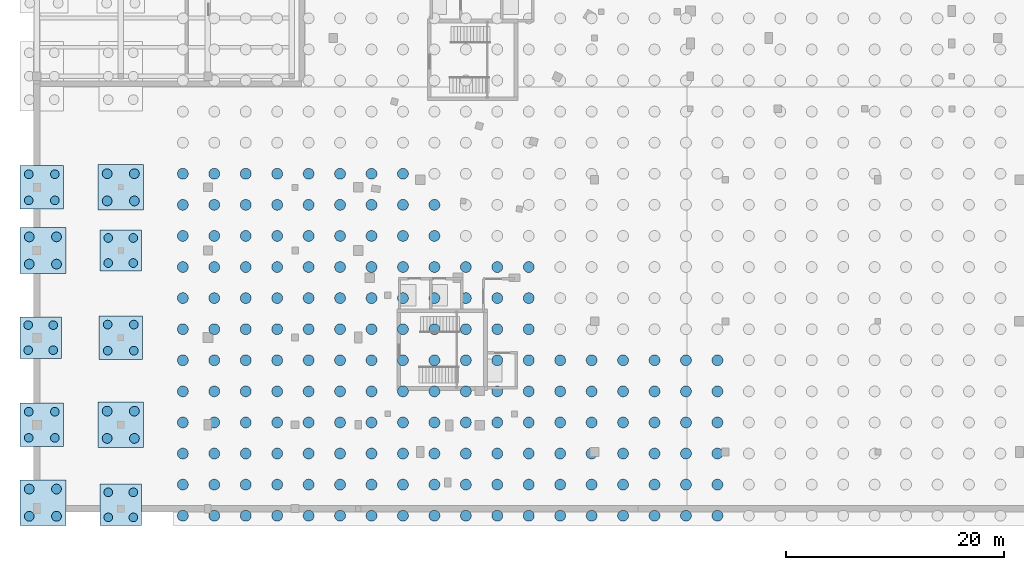
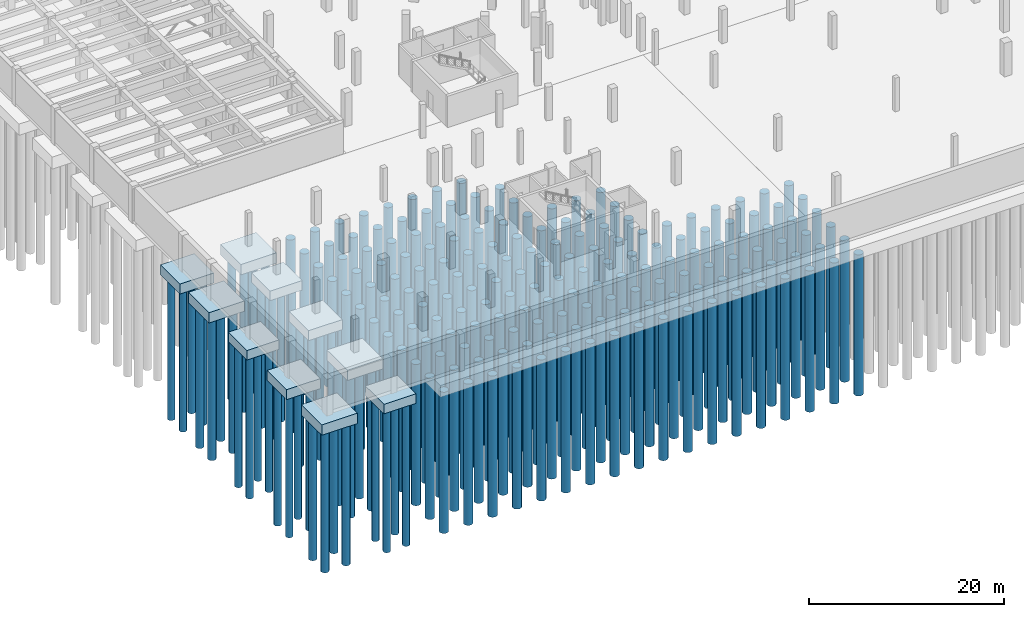
# One storey, part 1 of 36: 210 piles, 10 footings.
"""IFC4 building model written with IfcOpenShell, lengths in metres."""

import ifcopenshell
import ifcopenshell.guid

model = None  # the IFC model being written
_history = None  # IfcOwnerHistory: only IFC2X3 demands one
_inside = {}  # id of a spatial element -> (the spatial element, [elements in it])
_under = {}  # id of a project, library or spatial element -> (it, [spatial elements below it])
_declared = {}  # id of a project -> (the project, [libraries it declares])
_typed = {}  # id of a type object -> (the type object, [elements of that type])
_made_of = {}  # id of a material, layer set ... -> (it, [elements and type objects made of it])


def new_model(schema):
    """Start an empty IFC model of exactly this schema.

    Asked for "IFC4X3", IfcOpenShell would pick the latest addendum, in which some entities
    have other attributes; the version numbers below select the first issue.
    IFC2X3 requires an IfcOwnerHistory on every rooted entity: one is made here for all.
    """
    global model, _history
    if schema == "IFC4X3":
        model = ifcopenshell.file(schema_version=(4, 3, 0, 0))
    else:
        model = ifcopenshell.file(schema=schema)
    _inside.clear()
    _under.clear()
    _declared.clear()
    _typed.clear()
    _made_of.clear()
    _history = None
    if model.schema == "IFC2X3":
        org = make("IfcOrganization", Name="unknown")
        user = make(
            "IfcPersonAndOrganization",
            ThePerson=make("IfcPerson", FamilyName="unknown"),
            TheOrganization=org,
        )
        app = make(
            "IfcApplication",
            ApplicationDeveloper=org,
            Version="unknown",
            ApplicationFullName="unknown",
            ApplicationIdentifier="unknown",
        )
        _history = make(
            "IfcOwnerHistory",
            OwningUser=user,
            OwningApplication=app,
            ChangeAction="ADDED",
            CreationDate=0,
        )
    return model


def make(cls, **values):
    """One entity of the class cls with the attributes given. An attribute that is None is left unset."""
    return model.create_entity(
        cls, **{name: value for name, value in values.items() if value is not None}
    )


def rooted(cls, **values):
    """An entity with a GlobalId (a new one), such as an element, a storey or a relation."""
    return make(cls, GlobalId=ifcopenshell.guid.new(), OwnerHistory=_history, **values)


def si_unit(unit_type, name, prefix=None):
    """IfcSIUnit, for example si_unit("LENGTHUNIT", "METRE", prefix="MILLI")."""
    return make("IfcSIUnit", UnitType=unit_type, Prefix=prefix, Name=name)


def assignment(units):
    """IfcUnitAssignment: the units of a project."""
    return None if units is None else make("IfcUnitAssignment", Units=units)


def point(xyz):
    """IfcCartesianPoint."""
    return None if xyz is None else make("IfcCartesianPoint", Coordinates=xyz)


def direction(xyz):
    """IfcDirection."""
    return None if xyz is None else make("IfcDirection", DirectionRatios=xyz)


def frame(location, z_axis=None, x_axis=None):
    """IfcAxis2Placement3D, a coordinate frame: its origin and axes. An axis left out is left unset."""
    return make(
        "IfcAxis2Placement3D",
        Location=point(location),
        Axis=direction(z_axis),
        RefDirection=direction(x_axis),
    )


def frame_2d(location, x_axis=None):
    """IfcAxis2Placement2D, a coordinate frame in the plane: its origin and x axis."""
    return make(
        "IfcAxis2Placement2D", Location=point(location), RefDirection=direction(x_axis)
    )


def origin():
    """The frame at (0, 0, 0) with its axes left unset."""
    return frame((0.0, 0.0, 0.0))


def origin_2d():
    """The frame at (0, 0) in the plane with its x axis left unset."""
    return frame_2d((0.0, 0.0))


def place(relative_to, where):
    """IfcLocalPlacement: puts the frame where relative to a parent placement (None: the world)."""
    return make(
        "IfcLocalPlacement", PlacementRelTo=relative_to, RelativePlacement=where
    )


def context(
    kind, dimensions, precision=None, world=None, true_north=None, identifier=None
):
    """IfcGeometricRepresentationContext, for example the 3D "Model" context."""
    return make(
        "IfcGeometricRepresentationContext",
        ContextIdentifier=identifier,
        ContextType=kind,
        CoordinateSpaceDimension=dimensions,
        Precision=precision,
        WorldCoordinateSystem=world,
        TrueNorth=true_north,
    )


def subcontext(parent, identifier, kind, view, scale=None):
    """IfcGeometricRepresentationSubContext, for example "Body" below "Model"."""
    return make(
        "IfcGeometricRepresentationSubContext",
        ContextIdentifier=identifier,
        ContextType=kind,
        ParentContext=parent,
        TargetScale=scale,
        TargetView=view,
    )


def project(units=None, contexts=None):
    """IfcProject with its units and contexts."""
    return rooted(
        "IfcProject",
        Name="project",
        RepresentationContexts=contexts,
        UnitsInContext=assignment(units),
    )


def spatial(cls, under=None, at=None, **own):
    """A site, building, storey or space (cls), placed at a placement, below another one or the project."""
    s = rooted(cls, ObjectPlacement=at, **own)
    if under is not None:
        _under.setdefault(under.id(), (under, []))[1].append(s)
    return s


def profile(cls, at=None, kind="AREA", **sizes):
    """A parametric profile (cls). Its sizes go by their IFC names, for example OverallWidth=200.0."""
    return make(cls, ProfileType=kind, Position=at, **sizes)


def rectangle(**sizes):
    """IfcRectangleProfileDef."""
    return profile("IfcRectangleProfileDef", **sizes)


def circle(**sizes):
    """IfcCircleProfileDef."""
    return profile("IfcCircleProfileDef", **sizes)


def extrude(swept, where, along, depth):
    """IfcExtrudedAreaSolid: the profile swept, set in the frame where, extruded along a direction by depth."""
    return make(
        "IfcExtrudedAreaSolid",
        SweptArea=swept,
        Position=where,
        ExtrudedDirection=direction(along),
        Depth=depth,
    )


def shape(context_of_items, identifier, shape_type, items):
    """IfcShapeRepresentation: the items that make up one representation, for example the "Body"."""
    return make(
        "IfcShapeRepresentation",
        ContextOfItems=context_of_items,
        RepresentationIdentifier=identifier,
        RepresentationType=shape_type,
        Items=items,
    )


def material(Name=None, Category=None):
    """IfcMaterial."""
    return make("IfcMaterial", Name=Name, Category=Category)


def material_profile(
    of_material, cross_section, Name=None, Category=None, Priority=None
):
    """IfcMaterialProfile: a cross section and its material."""
    return make(
        "IfcMaterialProfile",
        Name=Name,
        Material=of_material,
        Profile=cross_section,
        Priority=Priority,
        Category=Category,
    )


def profile_set(profiles, Name=None, composite=None):
    """IfcMaterialProfileSet."""
    return make(
        "IfcMaterialProfileSet",
        Name=Name,
        MaterialProfiles=profiles,
        CompositeProfile=composite,
    )


def made_of(thing, what):
    """Note that an element or type object is made of a material, layer set ...; save() writes the relation."""
    if what is not None:
        _made_of.setdefault(what.id(), (what, []))[1].append(thing)
    return thing


def type_object(cls, material=None, **own):
    """A type object (cls), such as IfcWallType, which elements share."""
    return made_of(rooted(cls, **own), material)


def element(
    cls,
    number,
    at=None,
    inside=None,
    cuts=None,
    type_object=None,
    material=None,
    context=None,
    identifier="Body",
    shape_type=None,
    held_by="IfcProductDefinitionShape",
    body=None,
    shapes=None,
    **own,
):
    """One element of the class cls, such as IfcWall. Its Tag is "e" and its number.

    at: its placement. inside: the storey or other place that contains it. cuts: it is an
    opening in that element (IfcRelVoidsElement). A single representation is given by context,
    identifier, shape_type and body (its items); several are given by shapes. held_by: the class
    of the entity that holds the representations. save() writes the other relations.
    """
    e = rooted(cls, Tag="e%d" % number, ObjectPlacement=at, **own)
    if body is not None:
        shapes = [shape(context, identifier, shape_type, body)]
    if shapes is not None:
        e.Representation = make(held_by, Representations=shapes)
    if inside is not None:
        _inside.setdefault(inside.id(), (inside, []))[1].append(e)
    if cuts is not None:
        rooted(
            "IfcRelVoidsElement", RelatingBuildingElement=cuts, RelatedOpeningElement=e
        )
    if type_object is not None:
        _typed.setdefault(type_object.id(), (type_object, []))[1].append(e)
    return made_of(e, material)


def aggregate(whole, parts):
    """IfcRelAggregates: a whole, such as a stair, and the parts it consists of."""
    return rooted("IfcRelAggregates", RelatingObject=whole, RelatedObjects=parts)


def save(model, path):
    """Write the relations noted so far, then the file.

    IfcRelAggregates (storeys below a building ...), IfcRelContainedInSpatialStructure (elements
    in a storey), IfcRelDefinesByType, IfcRelAssociatesMaterial and IfcRelDeclares: one each for
    every whole, place, type object, material and project.
    """
    for whole, parts in _under.values():
        aggregate(whole, parts)
    for where, things in _inside.values():
        rooted(
            "IfcRelContainedInSpatialStructure",
            RelatedElements=things,
            RelatingStructure=where,
        )
    for kind, things in _typed.values():
        rooted("IfcRelDefinesByType", RelatedObjects=things, RelatingType=kind)
    for what, things in _made_of.values():
        rooted("IfcRelAssociatesMaterial", RelatedObjects=things, RelatingMaterial=what)
    for by, libraries in _declared.values():
        rooted("IfcRelDeclares", RelatingContext=by, RelatedDefinitions=libraries)
    model.write(path)


model = new_model("IFC4")

# Units and contexts
model_context = context("Model", 3, precision=1e-05, world=origin(), true_north=direction((0.0, 1.0)))
body_context = subcontext(model_context, "Body", "Model", "MODEL_VIEW")
ifc_project = project(units=[si_unit("LENGTHUNIT", "METRE"), si_unit("AREAUNIT", "SQUARE_METRE"), si_unit("VOLUMEUNIT", "CUBIC_METRE"), si_unit("PLANEANGLEUNIT", "RADIAN"), si_unit("MASSUNIT", "GRAM", prefix="KILO"), si_unit("THERMODYNAMICTEMPERATUREUNIT", "KELVIN"), si_unit("POWERUNIT", "WATT")], contexts=[model_context])

# Site, building, storey
site_placement = place(None, origin())
site = spatial("IfcSite", under=ifc_project, at=site_placement, CompositionType="ELEMENT")
building_placement = place(site_placement, origin())
building = spatial("IfcBuilding", under=site, at=building_placement, Name="Solvatero Civic Police Headquarters", CompositionType="ELEMENT")
storey_placement = place(building_placement, frame((0.0, 0.0, -8.39990234375)))
storey = spatial("IfcBuildingStorey", under=building, at=storey_placement, Name="B02", CompositionType="ELEMENT", Elevation=-8.39990234375)

# Footings
ifc_material_1 = material(Name="Concrete C35/45", Category="concrete")
footing_type_1 = type_object("IfcFootingType", Name="PC-4P-380x380x120", PredefinedType="PILE_CAP", material=ifc_material_1)
for number, where, z_axis, x_axis, name in (
    (1, (5.14990234375, 20.5, -1.64013671875), (0.0, 0.0, 1.0), (1.0, 0.0, 0.0), "Pile Cap FTG-R2-V4-X1Y3"),
    (2, (12.5, 5.14990234375, -1.64013671875), (0.0, 0.0, 1.0), (1.0, 0.0, 0.0), "Pile Cap FTG-R2-V4-X2Y1"),
    (3, (12.5, 28.5, -1.64013671875), (0.0, 0.0, 1.0), (1.0, 0.0, 0.0), "Pile Cap FTG-R2-V4-X2Y4"),
):
    element("IfcFooting", number, at=place(storey_placement, frame(where, z_axis=z_axis, x_axis=x_axis)), inside=storey, type_object=footing_type_1, Name=name, PredefinedType="PILE_CAP", context=body_context, shape_type="SweptSolid", body=[
        extrude(rectangle(XDim=3.800048828125, YDim=3.800048828125, at=origin_2d()), origin(), (0.0, 0.0, 1.0), 1.199951171875),
    ])
footing_type_2 = type_object("IfcFootingType", Name="PC-4P-400x400x125", PredefinedType="PILE_CAP", material=ifc_material_1)
for number, where, z_axis, x_axis, name in (
    (4, (5.25, 12.5, -1.690185546875), (0.0, 0.0, 1.0), (1.0, 0.0, 0.0), "Pile Cap FTG-R2-V4-X1Y2"),
    (5, (5.25, 34.300048828125, -1.690185546875), (0.0, 0.0, 1.0), (1.0, 0.0, 0.0), "Pile Cap FTG-R2-V4-X1Y5"),
    (6, (12.5, 20.5, -1.690185546875), (0.0, 0.0, 1.0), (1.0, 0.0, 0.0), "Pile Cap FTG-R2-V4-X2Y3"),
):
    element("IfcFooting", number, at=place(storey_placement, frame(where, z_axis=z_axis, x_axis=x_axis)), inside=storey, type_object=footing_type_2, Name=name, PredefinedType="PILE_CAP", context=body_context, shape_type="SweptSolid", body=[
        extrude(rectangle(XDim=4.0, YDim=4.0, at=origin_2d()), origin(), (0.0, 0.0, 1.0), 1.25),
    ])
footing_type_3 = type_object("IfcFootingType", Name="PC-4P-420x420x130", PredefinedType="PILE_CAP", material=ifc_material_1)
for number, where, z_axis, x_axis, name in (
    (7, (5.35009765625, 5.35009765625, -1.740234375), (0.0, 0.0, 1.0), (1.0, 0.0, 0.0), "Pile Cap FTG-R2-V4-X1Y1"),
    (8, (5.35009765625, 28.5, -1.740234375), (0.0, 0.0, 1.0), (1.0, 0.0, 0.0), "Pile Cap FTG-R2-V4-X1Y4"),
    (9, (12.5, 12.5, -1.740234375), (0.0, 0.0, 1.0), (1.0, 0.0, 0.0), "Pile Cap FTG-R2-V4-X2Y2"),
    (10, (12.5, 34.300048828125, -1.740234375), (0.0, 0.0, 1.0), (1.0, 0.0, 0.0), "Pile Cap FTG-R2-V4-X2Y5"),
):
    element("IfcFooting", number, at=place(storey_placement, frame(where, z_axis=z_axis, x_axis=x_axis)), inside=storey, type_object=footing_type_3, Name=name, PredefinedType="PILE_CAP", context=body_context, shape_type="SweptSolid", body=[
        extrude(rectangle(XDim=4.199951171875, YDim=4.199951171875, at=origin_2d()), origin(), (0.0, 0.0, 1.0), 1.300048828125),
    ])

# Piles
ifc_material_2 = material(Name="Concrete C32/40", Category="concrete")
ifc_material_profile_1 = material_profile(ifc_material_2, circle(Radius=0.5, at=origin_2d()), Name="CFA PILE D1000")
ifc_profile_set_1 = profile_set([ifc_material_profile_1], Name="Concrete C32/40")
pile_type_1 = type_object("IfcPileType", Name="PL-CFA-1000", PredefinedType="BORED", material=ifc_profile_set_1)
for number, where, z_axis, x_axis, name in (
    (11, (18.199951171875, 4.152099609375, -1.7900390625), (0.0, 0.0, -1.0), (1.0, 0.0, 0.0), "Bored Pile ARC-S00-IN-1"),
    (12, (18.199951171875, 7.006103515625, -1.7900390625), (0.0, 0.0, -1.0), (1.0, 0.0, 0.0), "Bored Pile ARC-S00-IN-2"),
    (13, (18.199951171875, 9.85986328125, -1.7900390625), (0.0, 0.0, -1.0), (1.0, 0.0, 0.0), "Bored Pile ARC-S00-IN-3"),
    (14, (18.199951171875, 12.713623046875, -1.7900390625), (0.0, 0.0, -1.0), (1.0, 0.0, 0.0), "Bored Pile ARC-S00-IN-4"),
    (15, (18.199951171875, 15.5673828125, -1.7900390625), (0.0, 0.0, -1.0), (1.0, 0.0, 0.0), "Bored Pile ARC-S00-IN-5"),
    (16, (18.199951171875, 18.421142578125, -1.7900390625), (0.0, 0.0, -1.0), (1.0, 0.0, 0.0), "Bored Pile ARC-S00-IN-6"),
    (17, (18.199951171875, 21.27490234375, -1.7900390625), (0.0, 0.0, -1.0), (1.0, 0.0, 0.0), "Bored Pile ARC-S00-IN-7"),
    (18, (18.199951171875, 24.12890625, -1.7900390625), (0.0, 0.0, -1.0), (1.0, 0.0, 0.0), "Bored Pile ARC-S00-IN-8"),
    (19, (18.199951171875, 26.982421875, -1.7900390625), (0.0, 0.0, -1.0), (1.0, 0.0, 0.0), "Bored Pile ARC-S00-IN-9"),
    (20, (18.199951171875, 29.836181640625, -1.7900390625), (0.0, 0.0, -1.0), (1.0, 0.0, 0.0), "Bored Pile ARC-S00-IN-10"),
    (21, (18.199951171875, 32.690185546875, -1.7900390625), (0.0, 0.0, -1.0), (1.0, 0.0, 0.0), "Bored Pile ARC-S00-IN-11"),
    (22, (18.199951171875, 35.5439453125, -1.7900390625), (0.0, 0.0, -1.0), (1.0, 0.0, 0.0), "Bored Pile ARC-S00-IN-12"),
    (23, (21.086669921875, 4.152099609375, -1.7900390625), (0.0, 0.0, -1.0), (1.0, 0.0, 0.0), "Bored Pile ARC-S00-IN-31"),
    (24, (21.086669921875, 7.006103515625, -1.7900390625), (0.0, 0.0, -1.0), (1.0, 0.0, 0.0), "Bored Pile ARC-S00-IN-32"),
    (25, (21.086669921875, 9.85986328125, -1.7900390625), (0.0, 0.0, -1.0), (1.0, 0.0, 0.0), "Bored Pile ARC-S00-IN-33"),
    (26, (21.086669921875, 12.713623046875, -1.7900390625), (0.0, 0.0, -1.0), (1.0, 0.0, 0.0), "Bored Pile ARC-S00-IN-34"),
    (27, (21.086669921875, 15.5673828125, -1.7900390625), (0.0, 0.0, -1.0), (1.0, 0.0, 0.0), "Bored Pile ARC-S00-IN-35"),
    (28, (21.086669921875, 18.421142578125, -1.7900390625), (0.0, 0.0, -1.0), (1.0, 0.0, 0.0), "Bored Pile ARC-S00-IN-36"),
    (29, (21.086669921875, 21.27490234375, -1.7900390625), (0.0, 0.0, -1.0), (1.0, 0.0, 0.0), "Bored Pile ARC-S00-IN-37"),
    (30, (21.086669921875, 24.12890625, -1.7900390625), (0.0, 0.0, -1.0), (1.0, 0.0, 0.0), "Bored Pile ARC-S00-IN-38"),
    (31, (21.086669921875, 26.982421875, -1.7900390625), (0.0, 0.0, -1.0), (1.0, 0.0, 0.0), "Bored Pile ARC-S00-IN-39"),
    (32, (21.086669921875, 29.836181640625, -1.7900390625), (0.0, 0.0, -1.0), (1.0, 0.0, 0.0), "Bored Pile ARC-S00-IN-40"),
    (33, (21.086669921875, 32.690185546875, -1.7900390625), (0.0, 0.0, -1.0), (1.0, 0.0, 0.0), "Bored Pile ARC-S00-IN-41"),
    (34, (21.086669921875, 35.5439453125, -1.7900390625), (0.0, 0.0, -1.0), (1.0, 0.0, 0.0), "Bored Pile ARC-S00-IN-42"),
    (35, (23.973388671875, 4.152099609375, -1.7900390625), (0.0, 0.0, -1.0), (1.0, 0.0, 0.0), "Bored Pile ARC-S00-IN-61"),
    (36, (23.973388671875, 7.006103515625, -1.7900390625), (0.0, 0.0, -1.0), (1.0, 0.0, 0.0), "Bored Pile ARC-S00-IN-62"),
    (37, (23.973388671875, 9.85986328125, -1.7900390625), (0.0, 0.0, -1.0), (1.0, 0.0, 0.0), "Bored Pile ARC-S00-IN-63"),
    (38, (23.973388671875, 12.713623046875, -1.7900390625), (0.0, 0.0, -1.0), (1.0, 0.0, 0.0), "Bored Pile ARC-S00-IN-64"),
    (39, (23.973388671875, 15.5673828125, -1.7900390625), (0.0, 0.0, -1.0), (1.0, 0.0, 0.0), "Bored Pile ARC-S00-IN-65"),
    (40, (23.973388671875, 18.421142578125, -1.7900390625), (0.0, 0.0, -1.0), (1.0, 0.0, 0.0), "Bored Pile ARC-S00-IN-66"),
    (41, (23.973388671875, 21.27490234375, -1.7900390625), (0.0, 0.0, -1.0), (1.0, 0.0, 0.0), "Bored Pile ARC-S00-IN-67"),
    (42, (23.973388671875, 24.12890625, -1.7900390625), (0.0, 0.0, -1.0), (1.0, 0.0, 0.0), "Bored Pile ARC-S00-IN-68"),
    (43, (23.973388671875, 26.982421875, -1.7900390625), (0.0, 0.0, -1.0), (1.0, 0.0, 0.0), "Bored Pile ARC-S00-IN-69"),
    (44, (23.973388671875, 29.836181640625, -1.7900390625), (0.0, 0.0, -1.0), (1.0, 0.0, 0.0), "Bored Pile ARC-S00-IN-70"),
    (45, (23.973388671875, 32.690185546875, -1.7900390625), (0.0, 0.0, -1.0), (1.0, 0.0, 0.0), "Bored Pile ARC-S00-IN-71"),
    (46, (23.973388671875, 35.5439453125, -1.7900390625), (0.0, 0.0, -1.0), (1.0, 0.0, 0.0), "Bored Pile ARC-S00-IN-72"),
    (47, (26.860107421875, 4.152099609375, -1.7900390625), (0.0, 0.0, -1.0), (1.0, 0.0, 0.0), "Bored Pile ARC-S00-IN-91"),
    (48, (26.860107421875, 7.006103515625, -1.7900390625), (0.0, 0.0, -1.0), (1.0, 0.0, 0.0), "Bored Pile ARC-S00-IN-92"),
    (49, (26.860107421875, 9.85986328125, -1.7900390625), (0.0, 0.0, -1.0), (1.0, 0.0, 0.0), "Bored Pile ARC-S00-IN-93"),
    (50, (26.860107421875, 12.713623046875, -1.7900390625), (0.0, 0.0, -1.0), (1.0, 0.0, 0.0), "Bored Pile ARC-S00-IN-94"),
    (51, (26.860107421875, 15.5673828125, -1.7900390625), (0.0, 0.0, -1.0), (1.0, 0.0, 0.0), "Bored Pile ARC-S00-IN-95"),
    (52, (26.860107421875, 18.421142578125, -1.7900390625), (0.0, 0.0, -1.0), (1.0, 0.0, 0.0), "Bored Pile ARC-S00-IN-96"),
    (53, (26.860107421875, 21.27490234375, -1.7900390625), (0.0, 0.0, -1.0), (1.0, 0.0, 0.0), "Bored Pile ARC-S00-IN-97"),
    (54, (26.860107421875, 24.12890625, -1.7900390625), (0.0, 0.0, -1.0), (1.0, 0.0, 0.0), "Bored Pile ARC-S00-IN-98"),
    (55, (26.860107421875, 26.982421875, -1.7900390625), (0.0, 0.0, -1.0), (1.0, 0.0, 0.0), "Bored Pile ARC-S00-IN-99"),
    (56, (26.860107421875, 29.836181640625, -1.7900390625), (0.0, 0.0, -1.0), (1.0, 0.0, 0.0), "Bored Pile ARC-S00-IN-100"),
    (57, (26.860107421875, 32.690185546875, -1.7900390625), (0.0, 0.0, -1.0), (1.0, 0.0, 0.0), "Bored Pile ARC-S00-IN-101"),
    (58, (26.860107421875, 35.5439453125, -1.7900390625), (0.0, 0.0, -1.0), (1.0, 0.0, 0.0), "Bored Pile ARC-S00-IN-102"),
    (59, (29.74658203125, 4.152099609375, -1.7900390625), (0.0, 0.0, -1.0), (1.0, 0.0, 0.0), "Bored Pile ARC-S00-IN-121"),
    (60, (29.74658203125, 7.006103515625, -1.7900390625), (0.0, 0.0, -1.0), (1.0, 0.0, 0.0), "Bored Pile ARC-S00-IN-122"),
    (61, (29.74658203125, 9.85986328125, -1.7900390625), (0.0, 0.0, -1.0), (1.0, 0.0, 0.0), "Bored Pile ARC-S00-IN-123"),
    (62, (29.74658203125, 12.713623046875, -1.7900390625), (0.0, 0.0, -1.0), (1.0, 0.0, 0.0), "Bored Pile ARC-S00-IN-124"),
    (63, (29.74658203125, 15.5673828125, -1.7900390625), (0.0, 0.0, -1.0), (1.0, 0.0, 0.0), "Bored Pile ARC-S00-IN-125"),
    (64, (29.74658203125, 18.421142578125, -1.7900390625), (0.0, 0.0, -1.0), (1.0, 0.0, 0.0), "Bored Pile ARC-S00-IN-126"),
    (65, (29.74658203125, 21.27490234375, -1.7900390625), (0.0, 0.0, -1.0), (1.0, 0.0, 0.0), "Bored Pile ARC-S00-IN-127"),
    (66, (29.74658203125, 24.12890625, -1.7900390625), (0.0, 0.0, -1.0), (1.0, 0.0, 0.0), "Bored Pile ARC-S00-IN-128"),
    (67, (29.74658203125, 26.982421875, -1.7900390625), (0.0, 0.0, -1.0), (1.0, 0.0, 0.0), "Bored Pile ARC-S00-IN-129"),
    (68, (29.74658203125, 29.836181640625, -1.7900390625), (0.0, 0.0, -1.0), (1.0, 0.0, 0.0), "Bored Pile ARC-S00-IN-130"),
    (69, (29.74658203125, 32.690185546875, -1.7900390625), (0.0, 0.0, -1.0), (1.0, 0.0, 0.0), "Bored Pile ARC-S00-IN-131"),
    (70, (29.74658203125, 35.5439453125, -1.7900390625), (0.0, 0.0, -1.0), (1.0, 0.0, 0.0), "Bored Pile ARC-S00-IN-132"),
    (71, (32.63330078125, 4.152099609375, -1.7900390625), (0.0, 0.0, -1.0), (1.0, 0.0, 0.0), "Bored Pile ARC-S00-IN-151"),
    (72, (32.63330078125, 7.006103515625, -1.7900390625), (0.0, 0.0, -1.0), (1.0, 0.0, 0.0), "Bored Pile ARC-S00-IN-152"),
    (73, (32.63330078125, 9.85986328125, -1.7900390625), (0.0, 0.0, -1.0), (1.0, 0.0, 0.0), "Bored Pile ARC-S00-IN-153"),
    (74, (32.63330078125, 12.713623046875, -1.7900390625), (0.0, 0.0, -1.0), (1.0, 0.0, 0.0), "Bored Pile ARC-S00-IN-154"),
    (75, (32.63330078125, 15.5673828125, -1.7900390625), (0.0, 0.0, -1.0), (1.0, 0.0, 0.0), "Bored Pile ARC-S00-IN-155"),
    (76, (32.63330078125, 18.421142578125, -1.7900390625), (0.0, 0.0, -1.0), (1.0, 0.0, 0.0), "Bored Pile ARC-S00-IN-156"),
    (77, (32.63330078125, 21.27490234375, -1.7900390625), (0.0, 0.0, -1.0), (1.0, 0.0, 0.0), "Bored Pile ARC-S00-IN-157"),
    (78, (32.63330078125, 24.12890625, -1.7900390625), (0.0, 0.0, -1.0), (1.0, 0.0, 0.0), "Bored Pile ARC-S00-IN-158"),
    (79, (32.63330078125, 26.982421875, -1.7900390625), (0.0, 0.0, -1.0), (1.0, 0.0, 0.0), "Bored Pile ARC-S00-IN-159"),
    (80, (32.63330078125, 29.836181640625, -1.7900390625), (0.0, 0.0, -1.0), (1.0, 0.0, 0.0), "Bored Pile ARC-S00-IN-160"),
    (81, (32.63330078125, 32.690185546875, -1.7900390625), (0.0, 0.0, -1.0), (1.0, 0.0, 0.0), "Bored Pile ARC-S00-IN-161"),
    (82, (32.63330078125, 35.5439453125, -1.7900390625), (0.0, 0.0, -1.0), (1.0, 0.0, 0.0), "Bored Pile ARC-S00-IN-162"),
    (83, (35.52001953125, 4.152099609375, -1.7900390625), (0.0, 0.0, -1.0), (1.0, 0.0, 0.0), "Bored Pile ARC-S00-IN-181"),
    (84, (35.52001953125, 7.006103515625, -1.7900390625), (0.0, 0.0, -1.0), (1.0, 0.0, 0.0), "Bored Pile ARC-S00-IN-182"),
    (85, (35.52001953125, 9.85986328125, -1.7900390625), (0.0, 0.0, -1.0), (1.0, 0.0, 0.0), "Bored Pile ARC-S00-IN-183"),
    (86, (35.52001953125, 12.713623046875, -1.7900390625), (0.0, 0.0, -1.0), (1.0, 0.0, 0.0), "Bored Pile ARC-S00-IN-184"),
    (87, (35.52001953125, 15.5673828125, -1.7900390625), (0.0, 0.0, -1.0), (1.0, 0.0, 0.0), "Bored Pile ARC-S00-IN-185"),
    (88, (35.52001953125, 18.421142578125, -1.7900390625), (0.0, 0.0, -1.0), (1.0, 0.0, 0.0), "Bored Pile ARC-S00-IN-186"),
    (89, (35.52001953125, 21.27490234375, -1.7900390625), (0.0, 0.0, -1.0), (1.0, 0.0, 0.0), "Bored Pile ARC-S00-IN-187"),
    (90, (35.52001953125, 24.12890625, -1.7900390625), (0.0, 0.0, -1.0), (1.0, 0.0, 0.0), "Bored Pile ARC-S00-IN-188"),
    (91, (35.52001953125, 26.982421875, -1.7900390625), (0.0, 0.0, -1.0), (1.0, 0.0, 0.0), "Bored Pile ARC-S00-IN-189"),
    (92, (35.52001953125, 29.836181640625, -1.7900390625), (0.0, 0.0, -1.0), (1.0, 0.0, 0.0), "Bored Pile ARC-S00-IN-190"),
    (93, (35.52001953125, 32.690185546875, -1.7900390625), (0.0, 0.0, -1.0), (1.0, 0.0, 0.0), "Bored Pile ARC-S00-IN-191"),
    (94, (35.52001953125, 35.5439453125, -1.7900390625), (0.0, 0.0, -1.0), (1.0, 0.0, 0.0), "Bored Pile ARC-S00-IN-192"),
    (95, (38.40673828125, 4.152099609375, -1.7900390625), (0.0, 0.0, -1.0), (1.0, 0.0, 0.0), "Bored Pile ARC-S00-IN-211"),
    (96, (38.40673828125, 7.006103515625, -1.7900390625), (0.0, 0.0, -1.0), (1.0, 0.0, 0.0), "Bored Pile ARC-S00-IN-212"),
    (97, (38.40673828125, 9.85986328125, -1.7900390625), (0.0, 0.0, -1.0), (1.0, 0.0, 0.0), "Bored Pile ARC-S00-IN-213"),
    (98, (38.40673828125, 12.713623046875, -1.7900390625), (0.0, 0.0, -1.0), (1.0, 0.0, 0.0), "Bored Pile ARC-S00-IN-214"),
    (99, (38.40673828125, 15.5673828125, -1.7900390625), (0.0, 0.0, -1.0), (1.0, 0.0, 0.0), "Bored Pile ARC-S00-IN-215"),
    (100, (38.40673828125, 18.421142578125, -1.7900390625), (0.0, 0.0, -1.0), (1.0, 0.0, 0.0), "Bored Pile ARC-S00-IN-216"),
    (101, (38.40673828125, 21.27490234375, -1.7900390625), (0.0, 0.0, -1.0), (1.0, 0.0, 0.0), "Bored Pile ARC-S00-IN-217"),
    (102, (38.40673828125, 24.12890625, -1.7900390625), (0.0, 0.0, -1.0), (1.0, 0.0, 0.0), "Bored Pile ARC-S00-IN-218"),
    (103, (38.40673828125, 26.982421875, -1.7900390625), (0.0, 0.0, -1.0), (1.0, 0.0, 0.0), "Bored Pile ARC-S00-IN-219"),
    (104, (38.40673828125, 29.836181640625, -1.7900390625), (0.0, 0.0, -1.0), (1.0, 0.0, 0.0), "Bored Pile ARC-S00-IN-220"),
    (105, (38.40673828125, 32.690185546875, -1.7900390625), (0.0, 0.0, -1.0), (1.0, 0.0, 0.0), "Bored Pile ARC-S00-IN-221"),
    (106, (38.40673828125, 35.5439453125, -1.7900390625), (0.0, 0.0, -1.0), (1.0, 0.0, 0.0), "Bored Pile ARC-S00-IN-222"),
    (107, (41.293212890625, 4.152099609375, -1.7900390625), (0.0, 0.0, -1.0), (1.0, 0.0, 0.0), "Bored Pile ARC-S00-IN-241"),
    (108, (41.293212890625, 7.006103515625, -1.7900390625), (0.0, 0.0, -1.0), (1.0, 0.0, 0.0), "Bored Pile ARC-S00-IN-242"),
    (109, (41.293212890625, 9.85986328125, -1.7900390625), (0.0, 0.0, -1.0), (1.0, 0.0, 0.0), "Bored Pile ARC-S00-IN-243"),
    (110, (41.293212890625, 12.713623046875, -1.7900390625), (0.0, 0.0, -1.0), (1.0, 0.0, 0.0), "Bored Pile ARC-S00-IN-244"),
    (111, (41.293212890625, 15.5673828125, -1.7900390625), (0.0, 0.0, -1.0), (1.0, 0.0, 0.0), "Bored Pile ARC-S00-IN-245"),
    (112, (41.293212890625, 18.421142578125, -1.7900390625), (0.0, 0.0, -1.0), (1.0, 0.0, 0.0), "Bored Pile ARC-S00-IN-246"),
    (113, (41.293212890625, 21.27490234375, -1.7900390625), (0.0, 0.0, -1.0), (1.0, 0.0, 0.0), "Bored Pile ARC-S00-IN-247"),
    (114, (41.293212890625, 24.12890625, -1.7900390625), (0.0, 0.0, -1.0), (1.0, 0.0, 0.0), "Bored Pile ARC-S00-IN-248"),
    (115, (41.293212890625, 26.982421875, -1.7900390625), (0.0, 0.0, -1.0), (1.0, 0.0, 0.0), "Bored Pile ARC-S00-IN-249"),
    (116, (41.293212890625, 29.836181640625, -1.7900390625), (0.0, 0.0, -1.0), (1.0, 0.0, 0.0), "Bored Pile ARC-S00-IN-250"),
    (117, (41.293212890625, 32.690185546875, -1.7900390625), (0.0, 0.0, -1.0), (1.0, 0.0, 0.0), "Bored Pile ARC-S00-IN-251"),
    (118, (44.179931640625, 4.152099609375, -1.7900390625), (0.0, 0.0, -1.0), (1.0, 0.0, 0.0), "Bored Pile ARC-S00-IN-271"),
    (119, (44.179931640625, 7.006103515625, -1.7900390625), (0.0, 0.0, -1.0), (1.0, 0.0, 0.0), "Bored Pile ARC-S00-IN-272"),
    (120, (44.179931640625, 9.85986328125, -1.7900390625), (0.0, 0.0, -1.0), (1.0, 0.0, 0.0), "Bored Pile ARC-S00-IN-273"),
    (121, (44.179931640625, 12.713623046875, -1.7900390625), (0.0, 0.0, -1.0), (1.0, 0.0, 0.0), "Bored Pile ARC-S00-IN-274"),
    (122, (44.179931640625, 15.5673828125, -1.7900390625), (0.0, 0.0, -1.0), (1.0, 0.0, 0.0), "Bored Pile ARC-S00-IN-275"),
    (123, (44.179931640625, 18.421142578125, -1.7900390625), (0.0, 0.0, -1.0), (1.0, 0.0, 0.0), "Bored Pile ARC-S00-IN-276"),
    (124, (44.179931640625, 21.27490234375, -1.7900390625), (0.0, 0.0, -1.0), (1.0, 0.0, 0.0), "Bored Pile ARC-S00-IN-277"),
    (125, (44.179931640625, 24.12890625, -1.7900390625), (0.0, 0.0, -1.0), (1.0, 0.0, 0.0), "Bored Pile ARC-S00-IN-278"),
    (126, (44.179931640625, 26.982421875, -1.7900390625), (0.0, 0.0, -1.0), (1.0, 0.0, 0.0), "Bored Pile ARC-S00-IN-279"),
    (127, (47.066650390625, 4.152099609375, -1.7900390625), (0.0, 0.0, -1.0), (1.0, 0.0, 0.0), "Bored Pile ARC-S00-IN-301"),
    (128, (47.066650390625, 7.006103515625, -1.7900390625), (0.0, 0.0, -1.0), (1.0, 0.0, 0.0), "Bored Pile ARC-S00-IN-302"),
    (129, (47.066650390625, 9.85986328125, -1.7900390625), (0.0, 0.0, -1.0), (1.0, 0.0, 0.0), "Bored Pile ARC-S00-IN-303"),
    (130, (47.066650390625, 12.713623046875, -1.7900390625), (0.0, 0.0, -1.0), (1.0, 0.0, 0.0), "Bored Pile ARC-S00-IN-304"),
    (131, (47.066650390625, 15.5673828125, -1.7900390625), (0.0, 0.0, -1.0), (1.0, 0.0, 0.0), "Bored Pile ARC-S00-IN-305"),
    (132, (47.066650390625, 18.421142578125, -1.7900390625), (0.0, 0.0, -1.0), (1.0, 0.0, 0.0), "Bored Pile ARC-S00-IN-306"),
    (133, (47.066650390625, 21.27490234375, -1.7900390625), (0.0, 0.0, -1.0), (1.0, 0.0, 0.0), "Bored Pile ARC-S00-IN-307"),
    (134, (47.066650390625, 24.12890625, -1.7900390625), (0.0, 0.0, -1.0), (1.0, 0.0, 0.0), "Bored Pile ARC-S00-IN-308"),
    (135, (47.066650390625, 26.982421875, -1.7900390625), (0.0, 0.0, -1.0), (1.0, 0.0, 0.0), "Bored Pile ARC-S00-IN-309"),
    (136, (49.953369140625, 4.152099609375, -1.7900390625), (0.0, 0.0, -1.0), (1.0, 0.0, 0.0), "Bored Pile ARC-S00-IN-331"),
    (137, (49.953369140625, 7.006103515625, -1.7900390625), (0.0, 0.0, -1.0), (1.0, 0.0, 0.0), "Bored Pile ARC-S00-IN-332"),
    (138, (49.953369140625, 9.85986328125, -1.7900390625), (0.0, 0.0, -1.0), (1.0, 0.0, 0.0), "Bored Pile ARC-S00-IN-333"),
    (139, (49.953369140625, 12.713623046875, -1.7900390625), (0.0, 0.0, -1.0), (1.0, 0.0, 0.0), "Bored Pile ARC-S00-IN-334"),
    (140, (49.953369140625, 15.5673828125, -1.7900390625), (0.0, 0.0, -1.0), (1.0, 0.0, 0.0), "Bored Pile ARC-S00-IN-335"),
    (141, (49.953369140625, 18.421142578125, -1.7900390625), (0.0, 0.0, -1.0), (1.0, 0.0, 0.0), "Bored Pile ARC-S00-IN-336"),
    (142, (49.953369140625, 21.27490234375, -1.7900390625), (0.0, 0.0, -1.0), (1.0, 0.0, 0.0), "Bored Pile ARC-S00-IN-337"),
    (143, (49.953369140625, 24.12890625, -1.7900390625), (0.0, 0.0, -1.0), (1.0, 0.0, 0.0), "Bored Pile ARC-S00-IN-338"),
    (144, (49.953369140625, 26.982421875, -1.7900390625), (0.0, 0.0, -1.0), (1.0, 0.0, 0.0), "Bored Pile ARC-S00-IN-339"),
    (145, (52.840087890625, 4.152099609375, -1.7900390625), (0.0, 0.0, -1.0), (1.0, 0.0, 0.0), "Bored Pile ARC-S00-IN-361"),
    (146, (52.840087890625, 7.006103515625, -1.7900390625), (0.0, 0.0, -1.0), (1.0, 0.0, 0.0), "Bored Pile ARC-S00-IN-362"),
    (147, (52.840087890625, 9.85986328125, -1.7900390625), (0.0, 0.0, -1.0), (1.0, 0.0, 0.0), "Bored Pile ARC-S00-IN-363"),
    (148, (52.840087890625, 12.713623046875, -1.7900390625), (0.0, 0.0, -1.0), (1.0, 0.0, 0.0), "Bored Pile ARC-S00-IN-364"),
    (149, (52.840087890625, 15.5673828125, -1.7900390625), (0.0, 0.0, -1.0), (1.0, 0.0, 0.0), "Bored Pile ARC-S00-IN-365"),
    (150, (52.840087890625, 18.421142578125, -1.7900390625), (0.0, 0.0, -1.0), (1.0, 0.0, 0.0), "Bored Pile ARC-S00-IN-366"),
    (151, (55.726806640625, 4.152099609375, -1.7900390625), (0.0, 0.0, -1.0), (1.0, 0.0, 0.0), "Bored Pile ARC-S00-IN-391"),
    (152, (55.726806640625, 7.006103515625, -1.7900390625), (0.0, 0.0, -1.0), (1.0, 0.0, 0.0), "Bored Pile ARC-S00-IN-392"),
    (153, (55.726806640625, 9.85986328125, -1.7900390625), (0.0, 0.0, -1.0), (1.0, 0.0, 0.0), "Bored Pile ARC-S00-IN-393"),
    (154, (55.726806640625, 12.713623046875, -1.7900390625), (0.0, 0.0, -1.0), (1.0, 0.0, 0.0), "Bored Pile ARC-S00-IN-394"),
    (155, (55.726806640625, 15.5673828125, -1.7900390625), (0.0, 0.0, -1.0), (1.0, 0.0, 0.0), "Bored Pile ARC-S00-IN-395"),
    (156, (55.726806640625, 18.421142578125, -1.7900390625), (0.0, 0.0, -1.0), (1.0, 0.0, 0.0), "Bored Pile ARC-S00-IN-396"),
    (157, (58.61328125, 4.152099609375, -1.7900390625), (0.0, 0.0, -1.0), (1.0, 0.0, 0.0), "Bored Pile ARC-S00-IN-421"),
    (158, (58.61328125, 7.006103515625, -1.7900390625), (0.0, 0.0, -1.0), (1.0, 0.0, 0.0), "Bored Pile ARC-S00-IN-422"),
    (159, (58.61328125, 9.85986328125, -1.7900390625), (0.0, 0.0, -1.0), (1.0, 0.0, 0.0), "Bored Pile ARC-S00-IN-423"),
    (160, (58.61328125, 12.713623046875, -1.7900390625), (0.0, 0.0, -1.0), (1.0, 0.0, 0.0), "Bored Pile ARC-S00-IN-424"),
    (161, (58.61328125, 15.5673828125, -1.7900390625), (0.0, 0.0, -1.0), (1.0, 0.0, 0.0), "Bored Pile ARC-S00-IN-425"),
    (162, (58.61328125, 18.421142578125, -1.7900390625), (0.0, 0.0, -1.0), (1.0, 0.0, 0.0), "Bored Pile ARC-S00-IN-426"),
    (163, (61.5, 4.152099609375, -1.7900390625), (0.0, 0.0, -1.0), (1.0, 0.0, 0.0), "Bored Pile ARC-S00-IN-451"),
    (164, (61.5, 7.006103515625, -1.7900390625), (0.0, 0.0, -1.0), (1.0, 0.0, 0.0), "Bored Pile ARC-S00-IN-452"),
    (165, (61.5, 9.85986328125, -1.7900390625), (0.0, 0.0, -1.0), (1.0, 0.0, 0.0), "Bored Pile ARC-S00-IN-453"),
    (166, (61.5, 12.713623046875, -1.7900390625), (0.0, 0.0, -1.0), (1.0, 0.0, 0.0), "Bored Pile ARC-S00-IN-454"),
    (167, (61.5, 15.5673828125, -1.7900390625), (0.0, 0.0, -1.0), (1.0, 0.0, 0.0), "Bored Pile ARC-S00-IN-455"),
    (168, (61.5, 18.421142578125, -1.7900390625), (0.0, 0.0, -1.0), (1.0, 0.0, 0.0), "Bored Pile ARC-S00-IN-456"),
    (169, (64.38671875, 4.152099609375, -1.7900390625), (0.0, 0.0, -1.0), (1.0, 0.0, 0.0), "Bored Pile ARC-S00-IN-481"),
    (170, (64.38671875, 7.006103515625, -1.7900390625), (0.0, 0.0, -1.0), (1.0, 0.0, 0.0), "Bored Pile ARC-S00-IN-482"),
    (171, (64.38671875, 9.85986328125, -1.7900390625), (0.0, 0.0, -1.0), (1.0, 0.0, 0.0), "Bored Pile ARC-S00-IN-483"),
    (172, (64.38671875, 12.713623046875, -1.7900390625), (0.0, 0.0, -1.0), (1.0, 0.0, 0.0), "Bored Pile ARC-S00-IN-484"),
    (173, (64.38671875, 15.5673828125, -1.7900390625), (0.0, 0.0, -1.0), (1.0, 0.0, 0.0), "Bored Pile ARC-S00-IN-485"),
    (174, (64.38671875, 18.421142578125, -1.7900390625), (0.0, 0.0, -1.0), (1.0, 0.0, 0.0), "Bored Pile ARC-S00-IN-486"),
    (175, (67.273193359375, 4.152099609375, -1.7900390625), (0.0, 0.0, -1.0), (1.0, 0.0, 0.0), "Bored Pile ARC-S00-IN-511"),
    (176, (67.273193359375, 7.006103515625, -1.7900390625), (0.0, 0.0, -1.0), (1.0, 0.0, 0.0), "Bored Pile ARC-S00-IN-512"),
    (177, (67.273193359375, 9.85986328125, -1.7900390625), (0.0, 0.0, -1.0), (1.0, 0.0, 0.0), "Bored Pile ARC-S00-IN-513"),
    (178, (67.273193359375, 12.713623046875, -1.7900390625), (0.0, 0.0, -1.0), (1.0, 0.0, 0.0), "Bored Pile ARC-S00-IN-514"),
    (179, (67.273193359375, 15.5673828125, -1.7900390625), (0.0, 0.0, -1.0), (1.0, 0.0, 0.0), "Bored Pile ARC-S00-IN-515"),
    (180, (67.273193359375, 18.421142578125, -1.7900390625), (0.0, 0.0, -1.0), (1.0, 0.0, 0.0), "Bored Pile ARC-S00-IN-516"),
):
    element("IfcPile", number, at=place(storey_placement, frame(where, z_axis=z_axis, x_axis=x_axis)), inside=storey, type_object=pile_type_1, Name=name, PredefinedType="BORED", context=body_context, shape_type="SweptSolid", body=[
        extrude(circle(Radius=0.5, at=origin_2d()), origin(), (0.0, 0.0, 1.0), 17.659912109375),
    ])
ifc_material_profile_2 = material_profile(ifc_material_2, circle(Radius=0.39990234375, at=origin_2d()), Name="CFA PILE D800")
ifc_profile_set_2 = profile_set([ifc_material_profile_2], Name="Concrete C32/40")
pile_type_2 = type_object("IfcPileType", Name="PL-CFA-800", PredefinedType="BORED", material=ifc_profile_set_2)
for number, where, z_axis, x_axis, name in (
    (181, (4.050048828125, 11.300048828125, -1.590087890625), (0.0, 0.0, -1.0), (1.0, 0.0, 0.0), "Bored Pile V4-X1Y2-1"),
    (182, (6.449951171875, 11.300048828125, -1.590087890625), (0.0, 0.0, -1.0), (1.0, 0.0, 0.0), "Bored Pile V4-X1Y2-2"),
    (183, (4.050048828125, 13.699951171875, -1.590087890625), (0.0, 0.0, -1.0), (1.0, 0.0, 0.0), "Bored Pile V4-X1Y2-3"),
    (184, (6.449951171875, 13.699951171875, -1.590087890625), (0.0, 0.0, -1.0), (1.0, 0.0, 0.0), "Bored Pile V4-X1Y2-4"),
):
    element("IfcPile", number, at=place(storey_placement, frame(where, z_axis=z_axis, x_axis=x_axis)), inside=storey, type_object=pile_type_2, Name=name, PredefinedType="BORED", context=body_context, shape_type="SweptSolid", body=[
        extrude(circle(Radius=0.39990234375, at=origin_2d()), origin(), (0.0, 0.0, 1.0), 17.860107421875),
    ])
for number, where, z_axis, x_axis, name in (
    (185, (4.0, 19.35009765625, -1.5400390625), (0.0, 0.0, -1.0), (1.0, 0.0, 0.0), "Bored Pile V4-X1Y3-1"),
    (186, (6.300048828125, 19.35009765625, -1.5400390625), (0.0, 0.0, -1.0), (1.0, 0.0, 0.0), "Bored Pile V4-X1Y3-2"),
    (187, (4.0, 21.64990234375, -1.5400390625), (0.0, 0.0, -1.0), (1.0, 0.0, 0.0), "Bored Pile V4-X1Y3-3"),
    (188, (6.300048828125, 21.64990234375, -1.5400390625), (0.0, 0.0, -1.0), (1.0, 0.0, 0.0), "Bored Pile V4-X1Y3-4"),
):
    element("IfcPile", number, at=place(storey_placement, frame(where, z_axis=z_axis, x_axis=x_axis)), inside=storey, type_object=pile_type_2, Name=name, PredefinedType="BORED", context=body_context, shape_type="SweptSolid", body=[
        extrude(circle(Radius=0.39990234375, at=origin_2d()), origin(), (0.0, 0.0, 1.0), 17.909912109375),
    ])
for number, where, z_axis, x_axis, name in (
    (189, (4.050048828125, 33.10009765625, -1.590087890625), (0.0, 0.0, -1.0), (1.0, 0.0, 0.0), "Bored Pile V4-X1Y5-1"),
    (190, (6.449951171875, 33.10009765625, -1.590087890625), (0.0, 0.0, -1.0), (1.0, 0.0, 0.0), "Bored Pile V4-X1Y5-2"),
    (191, (4.050048828125, 35.5, -1.590087890625), (0.0, 0.0, -1.0), (1.0, 0.0, 0.0), "Bored Pile V4-X1Y5-3"),
    (192, (6.449951171875, 35.5, -1.590087890625), (0.0, 0.0, -1.0), (1.0, 0.0, 0.0), "Bored Pile V4-X1Y5-4"),
):
    element("IfcPile", number, at=place(storey_placement, frame(where, z_axis=z_axis, x_axis=x_axis)), inside=storey, type_object=pile_type_2, Name=name, PredefinedType="BORED", context=body_context, shape_type="SweptSolid", body=[
        extrude(circle(Radius=0.39990234375, at=origin_2d()), origin(), (0.0, 0.0, 1.0), 17.860107421875),
    ])
for number, where, z_axis, x_axis, name in (
    (193, (11.35009765625, 4.0, -1.5400390625), (0.0, 0.0, -1.0), (1.0, 0.0, 0.0), "Bored Pile V4-X2Y1-1"),
    (194, (13.64990234375, 4.0, -1.5400390625), (0.0, 0.0, -1.0), (1.0, 0.0, 0.0), "Bored Pile V4-X2Y1-2"),
    (195, (11.35009765625, 6.300048828125, -1.5400390625), (0.0, 0.0, -1.0), (1.0, 0.0, 0.0), "Bored Pile V4-X2Y1-3"),
    (196, (13.64990234375, 6.300048828125, -1.5400390625), (0.0, 0.0, -1.0), (1.0, 0.0, 0.0), "Bored Pile V4-X2Y1-4"),
):
    element("IfcPile", number, at=place(storey_placement, frame(where, z_axis=z_axis, x_axis=x_axis)), inside=storey, type_object=pile_type_2, Name=name, PredefinedType="BORED", context=body_context, shape_type="SweptSolid", body=[
        extrude(circle(Radius=0.39990234375, at=origin_2d()), origin(), (0.0, 0.0, 1.0), 17.909912109375),
    ])
for number, where, z_axis, x_axis, name in (
    (197, (11.300048828125, 19.300048828125, -1.590087890625), (0.0, 0.0, -1.0), (1.0, 0.0, 0.0), "Bored Pile V4-X2Y3-1"),
    (198, (13.699951171875, 19.300048828125, -1.590087890625), (0.0, 0.0, -1.0), (1.0, 0.0, 0.0), "Bored Pile V4-X2Y3-2"),
    (199, (11.300048828125, 21.699951171875, -1.590087890625), (0.0, 0.0, -1.0), (1.0, 0.0, 0.0), "Bored Pile V4-X2Y3-3"),
    (200, (13.699951171875, 21.699951171875, -1.590087890625), (0.0, 0.0, -1.0), (1.0, 0.0, 0.0), "Bored Pile V4-X2Y3-4"),
):
    element("IfcPile", number, at=place(storey_placement, frame(where, z_axis=z_axis, x_axis=x_axis)), inside=storey, type_object=pile_type_2, Name=name, PredefinedType="BORED", context=body_context, shape_type="SweptSolid", body=[
        extrude(circle(Radius=0.39990234375, at=origin_2d()), origin(), (0.0, 0.0, 1.0), 17.860107421875),
    ])
for number, where, z_axis, x_axis, name in (
    (201, (11.35009765625, 27.35009765625, -1.5400390625), (0.0, 0.0, -1.0), (1.0, 0.0, 0.0), "Bored Pile V4-X2Y4-1"),
    (202, (13.64990234375, 27.35009765625, -1.5400390625), (0.0, 0.0, -1.0), (1.0, 0.0, 0.0), "Bored Pile V4-X2Y4-2"),
    (203, (11.35009765625, 29.64990234375, -1.5400390625), (0.0, 0.0, -1.0), (1.0, 0.0, 0.0), "Bored Pile V4-X2Y4-3"),
    (204, (13.64990234375, 29.64990234375, -1.5400390625), (0.0, 0.0, -1.0), (1.0, 0.0, 0.0), "Bored Pile V4-X2Y4-4"),
):
    element("IfcPile", number, at=place(storey_placement, frame(where, z_axis=z_axis, x_axis=x_axis)), inside=storey, type_object=pile_type_2, Name=name, PredefinedType="BORED", context=body_context, shape_type="SweptSolid", body=[
        extrude(circle(Radius=0.39990234375, at=origin_2d()), origin(), (0.0, 0.0, 1.0), 17.909912109375),
    ])
ifc_material_profile_3 = material_profile(ifc_material_2, circle(Radius=0.449951171875, at=origin_2d()), Name="CFA PILE D900")
ifc_profile_set_3 = profile_set([ifc_material_profile_3], Name="Concrete C32/40")
pile_type_3 = type_object("IfcPileType", Name="PL-CFA-900", PredefinedType="BORED", material=ifc_profile_set_3)
for number, where, z_axis, x_axis, name in (
    (205, (4.10009765625, 4.10009765625, -1.64013671875), (0.0, 0.0, -1.0), (1.0, 0.0, 0.0), "Bored Pile V4-X1Y1-1"),
    (206, (6.60009765625, 4.10009765625, -1.64013671875), (0.0, 0.0, -1.0), (1.0, 0.0, 0.0), "Bored Pile V4-X1Y1-2"),
    (207, (4.10009765625, 6.60009765625, -1.64013671875), (0.0, 0.0, -1.0), (1.0, 0.0, 0.0), "Bored Pile V4-X1Y1-3"),
    (208, (6.60009765625, 6.60009765625, -1.64013671875), (0.0, 0.0, -1.0), (1.0, 0.0, 0.0), "Bored Pile V4-X1Y1-4"),
    (209, (4.10009765625, 27.25, -1.64013671875), (0.0, 0.0, -1.0), (1.0, 0.0, 0.0), "Bored Pile V4-X1Y4-1"),
    (210, (6.60009765625, 27.25, -1.64013671875), (0.0, 0.0, -1.0), (1.0, 0.0, 0.0), "Bored Pile V4-X1Y4-2"),
    (211, (4.10009765625, 29.75, -1.64013671875), (0.0, 0.0, -1.0), (1.0, 0.0, 0.0), "Bored Pile V4-X1Y4-3"),
    (212, (6.60009765625, 29.75, -1.64013671875), (0.0, 0.0, -1.0), (1.0, 0.0, 0.0), "Bored Pile V4-X1Y4-4"),
    (213, (11.25, 11.25, -1.64013671875), (0.0, 0.0, -1.0), (1.0, 0.0, 0.0), "Bored Pile V4-X2Y2-1"),
    (214, (13.75, 11.25, -1.64013671875), (0.0, 0.0, -1.0), (1.0, 0.0, 0.0), "Bored Pile V4-X2Y2-2"),
    (215, (11.25, 13.75, -1.64013671875), (0.0, 0.0, -1.0), (1.0, 0.0, 0.0), "Bored Pile V4-X2Y2-3"),
    (216, (13.75, 13.75, -1.64013671875), (0.0, 0.0, -1.0), (1.0, 0.0, 0.0), "Bored Pile V4-X2Y2-4"),
    (217, (11.25, 33.050048828125, -1.64013671875), (0.0, 0.0, -1.0), (1.0, 0.0, 0.0), "Bored Pile V4-X2Y5-1"),
    (218, (13.75, 33.050048828125, -1.64013671875), (0.0, 0.0, -1.0), (1.0, 0.0, 0.0), "Bored Pile V4-X2Y5-2"),
    (219, (11.25, 35.550048828125, -1.64013671875), (0.0, 0.0, -1.0), (1.0, 0.0, 0.0), "Bored Pile V4-X2Y5-3"),
    (220, (13.75, 35.550048828125, -1.64013671875), (0.0, 0.0, -1.0), (1.0, 0.0, 0.0), "Bored Pile V4-X2Y5-4"),
):
    element("IfcPile", number, at=place(storey_placement, frame(where, z_axis=z_axis, x_axis=x_axis)), inside=storey, type_object=pile_type_3, Name=name, PredefinedType="BORED", context=body_context, shape_type="SweptSolid", body=[
        extrude(circle(Radius=0.449951171875, at=origin_2d()), origin(), (0.0, 0.0, 1.0), 17.81005859375),
    ])

save(model, "model.ifc")
